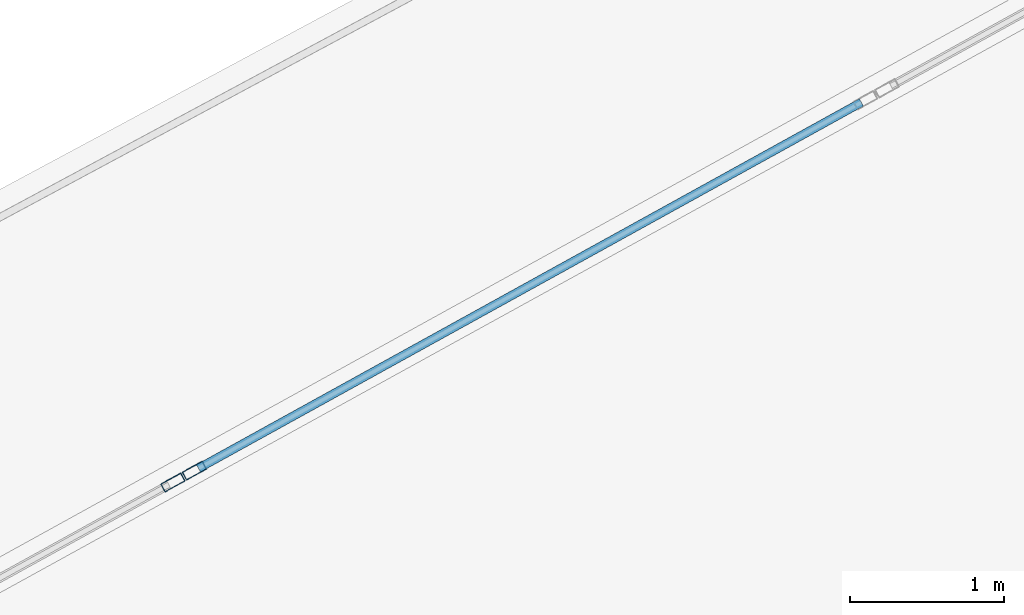
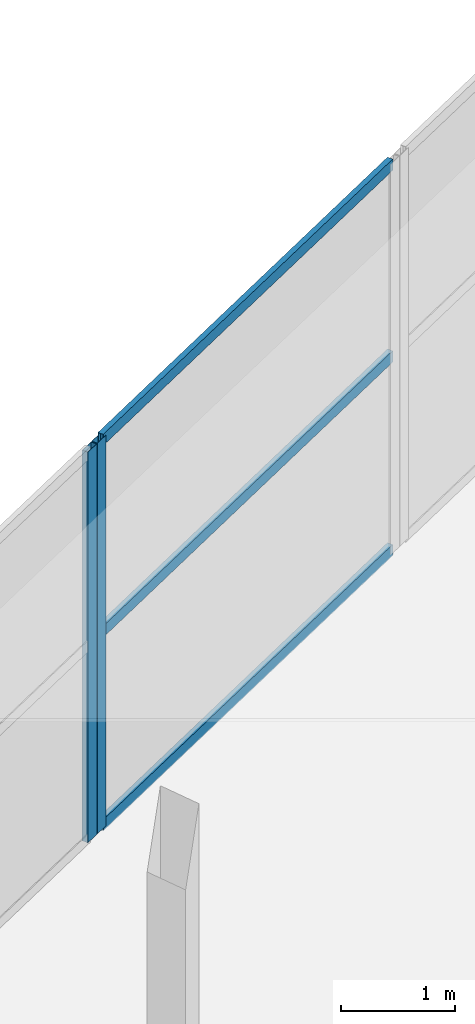
# One storey, part 30 of 107: 5 members, 2 elements without a shape of their own.
"""IFC4 building model written with IfcOpenShell, lengths in metres."""

from ifc_helpers import new_model, si_unit, direction, frame, origin, origin_2d, place, context, subcontext, project, spatial, hollow_rectangle, extrude, material, layer, layer_set, material_profile, profile_set, type_object, element, aggregate, save


model = new_model("IFC4")

# Units and contexts
model_context = context("Model", 3, precision=1e-05, world=origin(), true_north=direction((0.0, 1.0)))
body_context = subcontext(model_context, "Body", "Model", "MODEL_VIEW")
ifc_project = project(units=[si_unit("LENGTHUNIT", "METRE"), si_unit("AREAUNIT", "SQUARE_METRE"), si_unit("VOLUMEUNIT", "CUBIC_METRE"), si_unit("PLANEANGLEUNIT", "RADIAN"), si_unit("MASSUNIT", "GRAM", prefix="KILO")], contexts=[model_context])

# Site, building, storey
site_placement = place(None, origin())
site = spatial("IfcSite", under=ifc_project, at=site_placement, CompositionType="ELEMENT")
building_placement = place(site_placement, origin())
building = spatial("IfcBuilding", under=site, at=building_placement, Name="Kalgoora Escarpment Arena", CompositionType="ELEMENT")
storey_placement = place(building_placement, frame((0.0, 0.0, 5.39990234375)))
storey = spatial("IfcBuildingStorey", under=building, at=storey_placement, Name="L01", CompositionType="ELEMENT", Elevation=5.39990234375)

# Curtain wall, member
ifc_material_1 = material(Name=" Champagne anodised aluminium & double-glazed low-E", Category="aluminium")
ifc_layer_1 = layer(ifc_material_1, 0.162109375)
ifc_layer_set_1 = layer_set([ifc_layer_1], Name="CW-UNIT-18")
curtain_wall_type_1 = type_object("IfcCurtainWallType", Name="CW-UNIT-18", PredefinedType="NOTDEFINED", material=ifc_layer_set_1)
curtain_wall_1_placement = place(storey_placement, origin())
curtain_wall_1 = element("IfcCurtainWall", 1, at=curtain_wall_1_placement, inside=storey, type_object=curtain_wall_type_1, Name="L01 unitised facade curtain wall 017", PredefinedType="NOTDEFINED")
ifc_material_2 = material(Name="Anodised aluminium 6063-T6", Category="aluminium")
ifc_material_profile_1 = material_profile(ifc_material_2, hollow_rectangle(XDim=0.06005859375, YDim=0.14990234375, WallThickness=0.00341796875, at=origin_2d()))
ifc_profile_set_1 = profile_set([ifc_material_profile_1], Name="Anodised aluminium 6063-T6")
member_type_1 = type_object("IfcMemberType", Name="MEM-CW-MULL-150", PredefinedType="MULLION", material=ifc_profile_set_1)
member_1_placement = place(storey_placement, frame((35.374267578125, 110.6083984375, 0.02001953125), z_axis=(0.0, 0.0, 1.0), x_axis=(-0.483358505238, 0.87542250109, 0.0)))
member_1 = element("IfcMember", 2, at=member_1_placement, type_object=member_type_1, Name="CW-18 mullion 2", PredefinedType="MULLION", context=body_context, shape_type="SweptSolid", body=[
    extrude(hollow_rectangle(XDim=0.06005859375, YDim=0.14990234375, WallThickness=0.00341796875, at=origin_2d()), origin(), (0.0, 0.0, 1.0), 4.190185546875),
])
aggregate(curtain_wall_1, [member_1])

# Curtain wall, members
ifc_material_3 = material(Name=" Champagne anodised aluminium & double-glazed low-E", Category="aluminium")
ifc_layer_2 = layer(ifc_material_3, 0.166015625)
ifc_layer_set_2 = layer_set([ifc_layer_2], Name="CW-UNIT-19")
curtain_wall_type_2 = type_object("IfcCurtainWallType", Name="CW-UNIT-19", PredefinedType="NOTDEFINED", material=ifc_layer_set_2)
curtain_wall_2_placement = place(storey_placement, origin())
curtain_wall_2 = element("IfcCurtainWall", 3, at=curtain_wall_2_placement, inside=storey, type_object=curtain_wall_type_2, Name="L01 unitised facade curtain wall 018", PredefinedType="NOTDEFINED")
member_2_placement = place(storey_placement, frame((35.51416015625, 110.685546875, 0.02001953125), z_axis=(0.0, 0.0, 1.0), x_axis=(-0.483332479669, 0.875436870424, 0.0)))
member_2 = element("IfcMember", 4, at=member_2_placement, type_object=member_type_1, Name="CW-19 mullion 1", PredefinedType="MULLION", context=body_context, shape_type="SweptSolid", body=[
    extrude(hollow_rectangle(XDim=0.06005859375, YDim=0.14990234375, WallThickness=0.00341796875, at=origin_2d()), origin(), (0.0, 0.0, 1.0), 4.190185546875),
])
ifc_material_4 = material(Name="Anodised aluminium 6063-T6", Category="aluminium")
ifc_material_profile_2 = material_profile(ifc_material_4, hollow_rectangle(XDim=0.054931640625, YDim=0.1201171875, WallThickness=0.003173828125, at=origin_2d()))
ifc_profile_set_2 = profile_set([ifc_material_profile_2], Name="Anodised aluminium 6063-T6")
member_type_2 = type_object("IfcMemberType", Name="MEM-CW-TRAN-120", PredefinedType="USERDEFINED", material=ifc_profile_set_2)
member_3_placement = place(storey_placement, frame((35.54052734375, 110.7001953125, 0.047607421875), z_axis=(0.875442460326, 0.483322354809, 0.0), x_axis=(-0.483322354809, 0.875442460326, 0.0)))
member_3 = element("IfcMember", 5, at=member_3_placement, type_object=member_type_2, Name="CW-19 transom 1.1", ObjectType="TRANSOM", PredefinedType="USERDEFINED", context=body_context, shape_type="SweptSolid", body=[
    extrude(hollow_rectangle(XDim=0.054931640625, YDim=0.1201171875, WallThickness=0.003173828125, at=origin_2d()), origin(), (0.0, 0.0, 1.0), 4.925537109375),
])
member_4_placement = place(storey_placement, frame((35.54052734375, 110.7001953125, 2.125), z_axis=(0.875442460326, 0.483322354809, 0.0), x_axis=(-0.483322354809, 0.875442460326, 0.0)))
member_4 = element("IfcMember", 6, at=member_4_placement, type_object=member_type_2, Name="CW-19 transom 1.2", ObjectType="TRANSOM", PredefinedType="USERDEFINED", context=body_context, shape_type="SweptSolid", body=[
    extrude(hollow_rectangle(XDim=0.054931640625, YDim=0.1201171875, WallThickness=0.003173828125, at=origin_2d()), origin(), (0.0, 0.0, 1.0), 4.925537109375),
])
member_5_placement = place(storey_placement, frame((35.54052734375, 110.7001953125, 4.1826171875), z_axis=(0.875442460326, 0.483322354809, 0.0), x_axis=(-0.483322354809, 0.875442460326, 0.0)))
member_5 = element("IfcMember", 7, at=member_5_placement, type_object=member_type_2, Name="CW-19 transom 1.3", ObjectType="TRANSOM", PredefinedType="USERDEFINED", context=body_context, shape_type="SweptSolid", body=[
    extrude(hollow_rectangle(XDim=0.054931640625, YDim=0.1201171875, WallThickness=0.003173828125, at=origin_2d()), origin(), (0.0, 0.0, 1.0), 4.925537109375),
])
aggregate(curtain_wall_2, [member_2, member_3, member_4, member_5])

save(model, "model.ifc")
